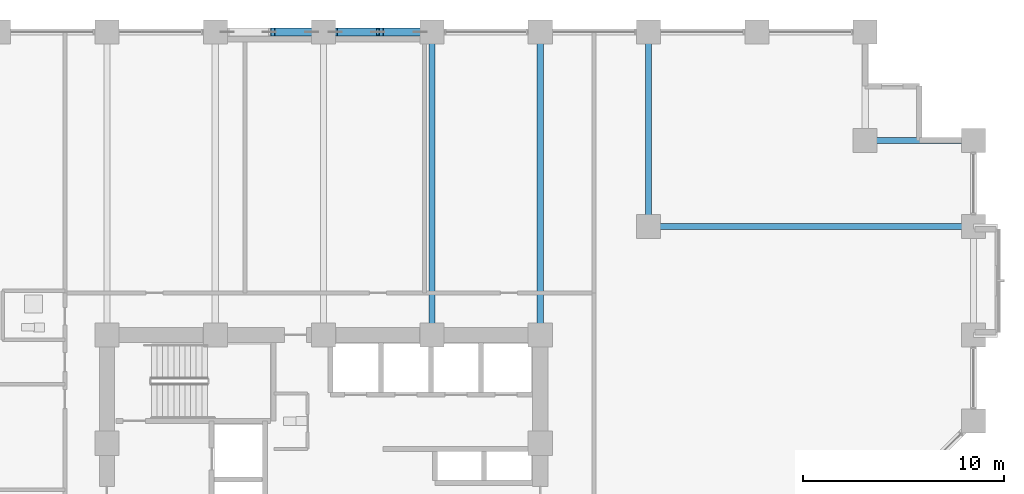
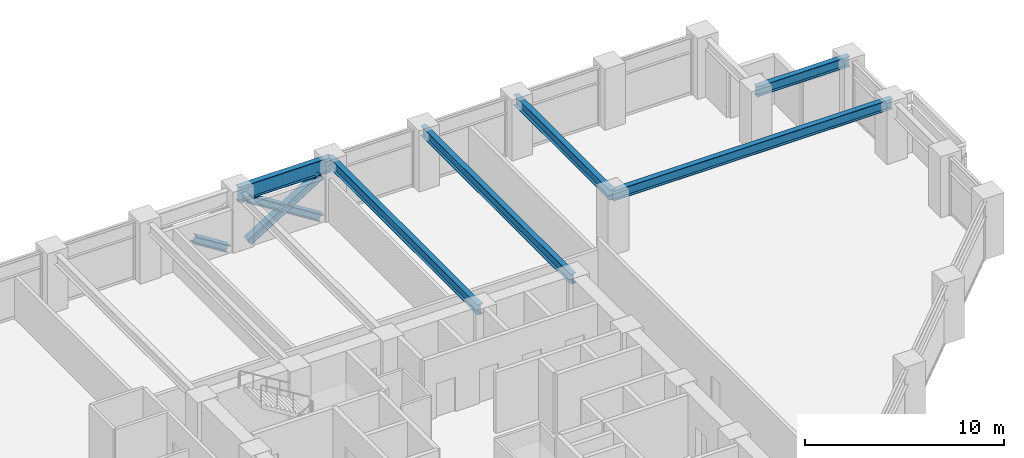
# One storey, part 14 of 26: 6 beams, 4 members.
"""IFC4 building model written with IfcOpenShell, lengths in metres."""

from ifc_helpers import new_model, si_unit, direction, frame, origin, origin_2d, place, context, subcontext, project, spatial, i_section, extrude, material, material_profile, profile_set, type_object, element, save


model = new_model("IFC4")

# Units and contexts
model_context = context("Model", 3, precision=1e-05, world=origin(), true_north=direction((0.0, 1.0)))
body_context = subcontext(model_context, "Body", "Model", "MODEL_VIEW")
ifc_project = project(units=[si_unit("LENGTHUNIT", "METRE"), si_unit("AREAUNIT", "SQUARE_METRE"), si_unit("VOLUMEUNIT", "CUBIC_METRE"), si_unit("PLANEANGLEUNIT", "RADIAN"), si_unit("MASSUNIT", "GRAM", prefix="KILO")], contexts=[model_context])

# Site, building, storey
site_placement = place(None, origin())
site = spatial("IfcSite", under=ifc_project, at=site_placement, CompositionType="ELEMENT")
building_placement = place(site_placement, origin())
building = spatial("IfcBuilding", under=site, at=building_placement, Name="Surkhivell Harbour Commons", CompositionType="ELEMENT")
storey_placement = place(building_placement, frame((0.0, 0.0, 60.0)))
storey = spatial("IfcBuildingStorey", under=building, at=storey_placement, Name="L15", CompositionType="ELEMENT", Elevation=60.0)

# Beams
ifc_material_1 = material(Name="Steel S355", Category="steel")
ifc_material_profile_1 = material_profile(ifc_material_1, i_section(OverallWidth=0.306884765625, OverallDepth=0.6201171875, WebThickness=0.01416015625, FlangeThickness=0.023681640625, at=origin_2d()), Name="UB610x305x179")
ifc_profile_set_1 = profile_set([ifc_material_profile_1], Name="Steel S355")
beam_type_1 = type_object("IfcBeamType", Name="BM-GRD-610A", PredefinedType="BEAM", material=ifc_profile_set_1)
for number, where, z_axis, x_axis, name in (
    (1, (5.39990234375, 10.800048828125, 3.260009765625), (0.0, 1.0, 0.0), (-1.0, 0.0, 0.0), "L15 Floor Girder (5.4,10.8)"),
    (2, (10.800048828125, 10.800048828125, 3.260009765625), (0.0, 1.0, 0.0), (-1.0, 0.0, 0.0), "L15 Floor Girder (10.8,10.8)"),
):
    element("IfcBeam", number, at=place(storey_placement, frame(where, z_axis=z_axis, x_axis=x_axis)), inside=storey, type_object=beam_type_1, Name=name, PredefinedType="BEAM", context=body_context, shape_type="SweptSolid", body=[
        extrude(i_section(OverallWidth=0.306884765625, OverallDepth=0.6201171875, WebThickness=0.01416015625, FlangeThickness=0.023681640625, at=origin_2d()), origin(), (0.0, 0.0, 1.0), 15.099853515625),
    ])
beam_1_placement = place(storey_placement, frame((16.199951171875, 16.199951171875, 3.260009765625), z_axis=(0.0, 1.0, 0.0), x_axis=(-1.0, 0.0, 0.0)))
element("IfcBeam", 3, at=beam_1_placement, inside=storey, type_object=beam_type_1, Name="L15 Floor Girder (16.2,16.2)", PredefinedType="BEAM", context=body_context, shape_type="SweptSolid", body=[
    extrude(i_section(OverallWidth=0.306884765625, OverallDepth=0.6201171875, WebThickness=0.01416015625, FlangeThickness=0.023681640625, at=origin_2d()), origin(), (0.0, 0.0, 1.0), 9.699951171875),
])
beam_2_placement = place(storey_placement, frame((16.199951171875, 16.199951171875, 3.260009765625), z_axis=(1.0, 0.0, 0.0), x_axis=(0.0, 1.0, 0.0)))
element("IfcBeam", 4, at=beam_2_placement, inside=storey, type_object=beam_type_1, Name="L15 Floor Girder (16.2,16.2)", PredefinedType="BEAM", context=body_context, shape_type="SweptSolid", body=[
    extrude(i_section(OverallWidth=0.306884765625, OverallDepth=0.6201171875, WebThickness=0.01416015625, FlangeThickness=0.023681640625, at=origin_2d()), origin(), (0.0, 0.0, 1.0), 16.199951171875),
])
beam_3_placement = place(storey_placement, frame((27.0, 20.5, 3.260009765625), z_axis=(1.0, 0.0, 0.0), x_axis=(0.0, 1.0, 0.0)))
element("IfcBeam", 5, at=beam_3_placement, inside=storey, type_object=beam_type_1, Name="L15 Floor Girder (27.0,20.5)", PredefinedType="BEAM", context=body_context, shape_type="SweptSolid", body=[
    extrude(i_section(OverallWidth=0.306884765625, OverallDepth=0.6201171875, WebThickness=0.01416015625, FlangeThickness=0.023681640625, at=origin_2d()), origin(), (0.0, 0.0, 1.0), 5.39990234375),
])
ifc_material_2 = material(Name="Steel S460", Category="steel")
ifc_material_profile_2 = material_profile(ifc_material_2, i_section(OverallWidth=0.30810546875, OverallDepth=0.927001953125, WebThickness=0.01953125, FlangeThickness=0.031982421875, at=origin_2d()), Name="UB914x305x289")
ifc_profile_set_2 = profile_set([ifc_material_profile_2], Name="Steel S460")
beam_type_2 = type_object("IfcBeamType", Name="BM-SPN-914B", PredefinedType="SPANDREL", material=ifc_profile_set_2)
beam_4_placement = place(storey_placement, frame((0.0, 25.89990234375, 3.1064453125), z_axis=(1.0, 0.0, 0.0), x_axis=(0.0, 1.0, 0.0)))
element("IfcBeam", 6, at=beam_4_placement, inside=storey, type_object=beam_type_2, Name="L15 Tube Spandrel (-0.0,25.9)", PredefinedType="SPANDREL", context=body_context, shape_type="SweptSolid", body=[
    extrude(i_section(OverallWidth=0.30810546875, OverallDepth=0.927001953125, WebThickness=0.01953125, FlangeThickness=0.031982421875, at=origin_2d()), origin(), (0.0, 0.0, 1.0), 5.39990234375),
])

# Members
ifc_material_profile_3 = material_profile(ifc_material_2, i_section(OverallWidth=0.406005859375, OverallDepth=0.416015625, WebThickness=0.026611328125, FlangeThickness=0.0390625, at=origin_2d()), Name="HD400x382")
ifc_profile_set_3 = profile_set([ifc_material_profile_3], Name="Steel S460")
member_type = type_object("IfcMemberType", Name="MEM-BRC-HD382", PredefinedType="BRACE", material=ifc_profile_set_3)
member_1_placement = place(storey_placement, frame((-0.5849609375, 25.89990234375, 0.008056640625), z_axis=(-0.848458555811, 0.0, 0.529261824688), x_axis=(0.0, -1.0, 0.0)))
element("IfcMember", 7, at=member_1_placement, inside=storey, type_object=member_type, Name="L15 Perimeter Mega-Brace MB- 02", PredefinedType="BRACE", context=body_context, shape_type="SweptSolid", body=[
    extrude(i_section(OverallWidth=0.406005859375, OverallDepth=0.416015625, WebThickness=0.026611328125, FlangeThickness=0.0390625, at=origin_2d()), origin(), (0.0, 0.0, 1.0), 2.29296875),
])
member_2_placement = place(storey_placement, frame((0.5849609375, 25.89990234375, 0.008056640625), z_axis=(0.848432685315, 0.0, 0.529303295369), x_axis=(0.0, 1.0, 0.0)))
element("IfcMember", 8, at=member_2_placement, inside=storey, type_object=member_type, Name="L15 Perimeter Mega-Brace MB- 04", PredefinedType="BRACE", context=body_context, shape_type="SweptSolid", body=[
    extrude(i_section(OverallWidth=0.406005859375, OverallDepth=0.416015625, WebThickness=0.026611328125, FlangeThickness=0.0390625, at=origin_2d()), origin(), (0.0, 0.0, 1.0), 4.985595703125),
])
member_3_placement = place(storey_placement, frame((4.81494140625, 25.89990234375, 0.008056640625), z_axis=(-0.848458555811, 0.0, 0.529261824688), x_axis=(0.0, -1.0, 0.0)))
element("IfcMember", 9, at=member_3_placement, inside=storey, type_object=member_type, Name="L15 Perimeter Mega-Brace MB- 05", PredefinedType="BRACE", context=body_context, shape_type="SweptSolid", body=[
    extrude(i_section(OverallWidth=0.406005859375, OverallDepth=0.416015625, WebThickness=0.026611328125, FlangeThickness=0.0390625, at=origin_2d()), origin(), (0.0, 0.0, 1.0), 2.29296875),
])
member_4_placement = place(storey_placement, frame((2.530517578125, 25.89990234375, 1.43310546875), z_axis=(-0.848410744023, 0.0, 0.529338463958), x_axis=(0.0, -1.0, 0.0)))
element("IfcMember", 10, at=member_4_placement, inside=storey, type_object=member_type, Name="L15 Perimeter Mega-Brace MB- 06", PredefinedType="BRACE", context=body_context, shape_type="SweptSolid", body=[
    extrude(i_section(OverallWidth=0.406005859375, OverallDepth=0.416015625, WebThickness=0.026611328125, FlangeThickness=0.0390625, at=origin_2d()), origin(), (0.0, 0.0, 1.0), 2.293212890625),
])

save(model, "model.ifc")
